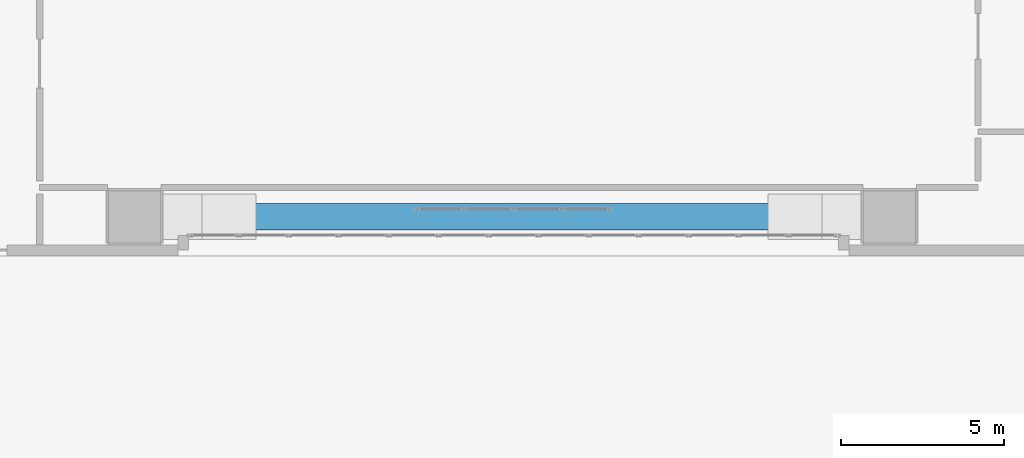
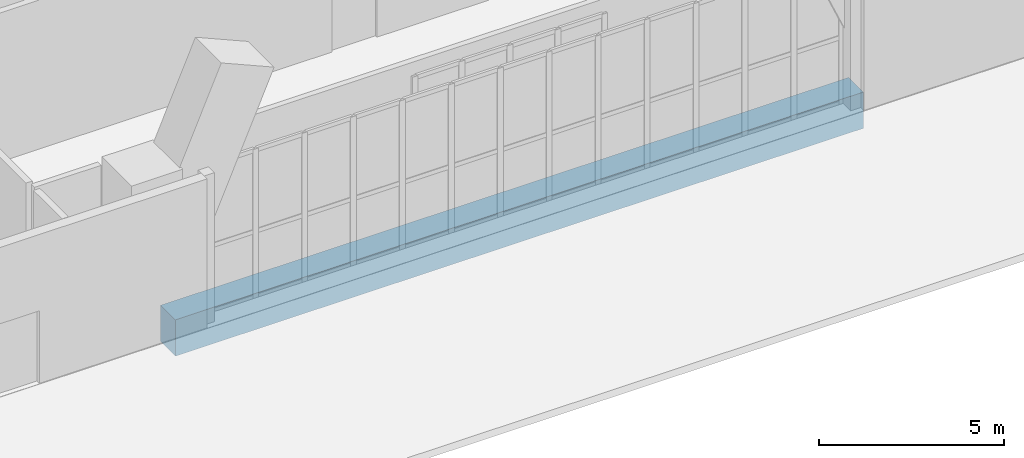
# One storey, part 5 of 30: 1 beam.
"""IFC4 building model written with IfcOpenShell, lengths in metres."""

from ifc_helpers import new_model, si_unit, direction, frame, origin, origin_2d, place, context, subcontext, project, spatial, rectangle, extrude, material, material_profile, profile_set, type_object, element, save


model = new_model("IFC4")

# Units and contexts
model_context = context("Model", 3, precision=1e-05, world=origin(), true_north=direction((0.0, 1.0)))
body_context = subcontext(model_context, "Body", "Model", "MODEL_VIEW")
ifc_project = project(units=[si_unit("LENGTHUNIT", "METRE"), si_unit("AREAUNIT", "SQUARE_METRE"), si_unit("VOLUMEUNIT", "CUBIC_METRE"), si_unit("PLANEANGLEUNIT", "RADIAN"), si_unit("MASSUNIT", "GRAM", prefix="KILO")], contexts=[model_context])

# Site, building, storey
site_placement = place(None, origin())
site = spatial("IfcSite", under=ifc_project, at=site_placement, CompositionType="ELEMENT")
building_placement = place(site_placement, origin())
building = spatial("IfcBuilding", under=site, at=building_placement, Name="Solanera Arch Residences", CompositionType="ELEMENT")
storey_placement = place(building_placement, origin())
storey = spatial("IfcBuildingStorey", under=building, at=storey_placement, Name="L00", CompositionType="ELEMENT", Elevation=0.0)

# Beam
ifc_material = material(Name="Concrete C55/67 (f'c = 60 MPa)", Category="concrete")
ifc_material_profile = material_profile(ifc_material, rectangle(XDim=0.800048828125, YDim=1.199951171875, at=origin_2d()))
ifc_profile_set = profile_set([ifc_material_profile], Name="Concrete C55/67 (f'c = 60 MPa)")
beam_type = type_object("IfcBeamType", Name="Tie Beam RC-BM-800X1200", PredefinedType="BEAM", material=ifc_profile_set)
beam_placement = place(storey_placement, frame((14.199951171875, 11.199951171875, -0.6201171875), z_axis=(1.0, 0.0, 0.0), x_axis=(0.0, 1.0, 0.0)))
element("IfcBeam", 1, at=beam_placement, inside=storey, type_object=beam_type, Name="L00 Monumental Arch Tie Girder", PredefinedType="BEAM", context=body_context, shape_type="SweptSolid", body=[
    extrude(rectangle(XDim=0.800048828125, YDim=1.199951171875, at=origin_2d()), origin(), (0.0, 0.0, 1.0), 21.5),
])

save(model, "model.ifc")
